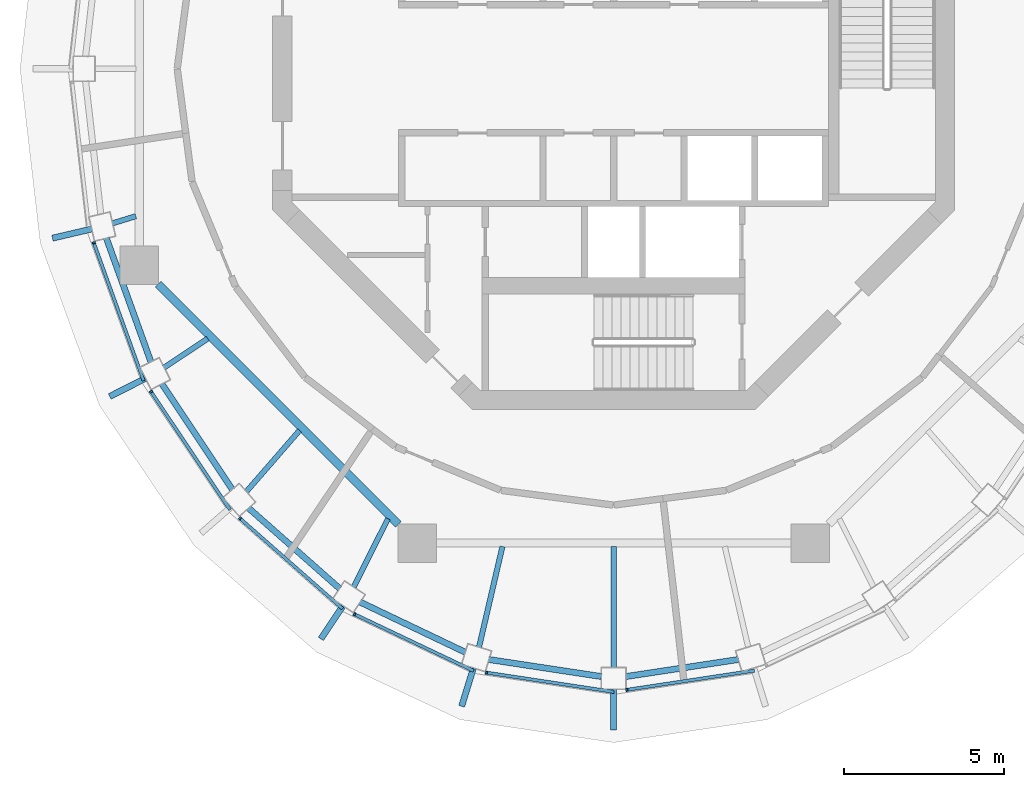
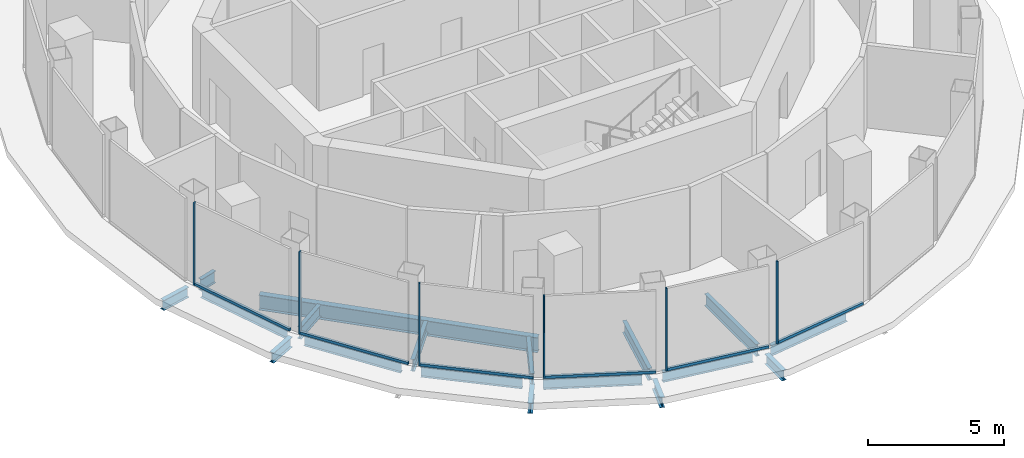
# One storey, part 2 of 11: 18 beams, 12 members, 6 elements without a shape of their own.
"""IFC4 building model written with IfcOpenShell, lengths in metres."""

from ifc_helpers import new_model, si_unit, direction, frame, origin, origin_2d, place, context, subcontext, project, spatial, rectangle, i_section, extrude, material, layer, layer_set, material_profile, profile_set, type_object, element, aggregate, save


model = new_model("IFC4")

# Units and contexts
model_context = context("Model", 3, precision=1e-05, world=origin(), true_north=direction((0.0, 1.0)))
body_context = subcontext(model_context, "Body", "Model", "MODEL_VIEW")
ifc_project = project(units=[si_unit("LENGTHUNIT", "METRE"), si_unit("AREAUNIT", "SQUARE_METRE"), si_unit("VOLUMEUNIT", "CUBIC_METRE"), si_unit("PLANEANGLEUNIT", "RADIAN"), si_unit("MASSUNIT", "GRAM", prefix="KILO")], contexts=[model_context])

# Site, building, storey
site_placement = place(None, origin())
site = spatial("IfcSite", under=ifc_project, at=site_placement, CompositionType="ELEMENT")
building_placement = place(site_placement, origin())
building = spatial("IfcBuilding", under=site, at=building_placement, Name="Nagisa Residences", CompositionType="ELEMENT")
storey_placement = place(building_placement, frame((0.0, 0.0, 324.89990234375)))
storey = spatial("IfcBuildingStorey", under=building, at=storey_placement, Name="L80", CompositionType="ELEMENT", Elevation=324.89990234375)

# Curtain wall, member
ifc_material_1 = material(Name="Aluminium curtain wall system", Category="aluminium")
ifc_layer = layer(ifc_material_1, 0.159912109375)
ifc_layer_set = layer_set([ifc_layer], Name="CW5 CURTAIN WALL")
curtain_wall_type = type_object("IfcCurtainWallType", Name="CW5 CURTAIN WALL", PredefinedType="NOTDEFINED", material=ifc_layer_set)
curtain_wall_1_placement = place(storey_placement, origin())
curtain_wall_1 = element("IfcCurtainWall", 1, at=curtain_wall_1_placement, inside=storey, type_object=curtain_wall_type, Name="cw:CW5:L80:13", PredefinedType="NOTDEFINED")
ifc_material_2 = material(Name="Aluminium", Category="aluminium")
ifc_material_profile_1 = material_profile(ifc_material_2, rectangle(XDim=0.10009765625, YDim=0.06005859375, at=origin_2d()), Name="CW5 MULLION 100x60")
ifc_profile_set_1 = profile_set([ifc_material_profile_1], Name="Aluminium")
member_type_1 = type_object("IfcMemberType", Name="CW5 MULLION 100x60", PredefinedType="MULLION", material=ifc_profile_set_1)
member_1_placement = place(storey_placement, frame((-16.199462890625, -5.42431640625, 0.0), z_axis=(0.0, 0.0, 1.0), x_axis=(0.940554456033, 0.339642923136, 0.0)))
member_1 = element("IfcMember", 2, at=member_1_placement, type_object=member_type_1, Name="CW5 mullion", PredefinedType="MULLION", context=body_context, shape_type="SweptSolid", body=[
    extrude(rectangle(XDim=0.10009765625, YDim=0.06005859375, at=origin_2d()), origin(), (0.0, 0.0, 1.0), 3.7001953125),
])

curtain_wall_2_placement = place(storey_placement, origin())
curtain_wall_2 = element("IfcCurtainWall", 3, at=curtain_wall_2_placement, inside=storey, type_object=curtain_wall_type, Name="cw:CW5:L80:14", PredefinedType="NOTDEFINED")
member_2_placement = place(storey_placement, frame((-14.416748046875, -10.06298828125, 0.0), z_axis=(0.0, 0.0, 1.0), x_axis=(0.831172662415, 0.556014393027, 0.0)))
member_2 = element("IfcMember", 4, at=member_2_placement, type_object=member_type_1, Name="CW5 mullion", PredefinedType="MULLION", context=body_context, shape_type="SweptSolid", body=[
    extrude(rectangle(XDim=0.10009765625, YDim=0.06005859375, at=origin_2d()), origin(), (0.0, 0.0, 1.0), 3.7001953125),
])

curtain_wall_3_placement = place(storey_placement, origin())
curtain_wall_3 = element("IfcCurtainWall", 5, at=curtain_wall_3_placement, inside=storey, type_object=curtain_wall_type, Name="cw:CW5:L80:15", PredefinedType="NOTDEFINED")
member_3_placement = place(storey_placement, frame((-11.645263671875, -14.0126953125, 0.0), z_axis=(0.0, 0.0, 1.0), x_axis=(0.660699467703, 0.750650526795, 0.0)))
member_3 = element("IfcMember", 6, at=member_3_placement, type_object=member_type_1, Name="CW5 mullion", PredefinedType="MULLION", context=body_context, shape_type="SweptSolid", body=[
    extrude(rectangle(XDim=0.10009765625, YDim=0.06005859375, at=origin_2d()), origin(), (0.0, 0.0, 1.0), 3.7001953125),
])

curtain_wall_4_placement = place(storey_placement, origin())
curtain_wall_4 = element("IfcCurtainWall", 7, at=curtain_wall_4_placement, inside=storey, type_object=curtain_wall_type, Name="cw:CW5:L80:16", PredefinedType="NOTDEFINED")
member_4_placement = place(storey_placement, frame((-8.077392578125, -16.999755859375, 0.0), z_axis=(0.0, 0.0, 1.0), x_axis=(0.429150642757, 0.903232929992, 0.0)))
member_4 = element("IfcMember", 8, at=member_4_placement, type_object=member_type_1, Name="CW5 mullion", PredefinedType="MULLION", context=body_context, shape_type="SweptSolid", body=[
    extrude(rectangle(XDim=0.10009765625, YDim=0.06005859375, at=origin_2d()), origin(), (0.0, 0.0, 1.0), 3.7001953125),
])

curtain_wall_5_placement = place(storey_placement, origin())
curtain_wall_5 = element("IfcCurtainWall", 9, at=curtain_wall_5_placement, inside=storey, type_object=curtain_wall_type, Name="cw:CW5:L80:17", PredefinedType="NOTDEFINED")
member_5_placement = place(storey_placement, frame((-3.962890625, -18.820556640625, 0.0), z_axis=(0.0, 0.0, 1.0), x_axis=(0.149320135997, 0.988788904158, 0.0)))
member_5 = element("IfcMember", 10, at=member_5_placement, type_object=member_type_1, Name="CW5 mullion", PredefinedType="MULLION", context=body_context, shape_type="SweptSolid", body=[
    extrude(rectangle(XDim=0.10009765625, YDim=0.06005859375, at=origin_2d()), origin(), (0.0, 0.0, 1.0), 3.7001953125),
])

curtain_wall_6_placement = place(storey_placement, origin())
curtain_wall_6 = element("IfcCurtainWall", 11, at=curtain_wall_6_placement, inside=storey, type_object=curtain_wall_type, Name="cw:CW5:L80:18", PredefinedType="NOTDEFINED")
member_6_placement = place(storey_placement, frame((0.413330078125, -19.356689453125, 0.0), z_axis=(0.0, 0.0, 1.0), x_axis=(-0.149320135997, 0.988788904158, 0.0)))
member_6 = element("IfcMember", 12, at=member_6_placement, type_object=member_type_1, Name="CW5 mullion", PredefinedType="MULLION", context=body_context, shape_type="SweptSolid", body=[
    extrude(rectangle(XDim=0.10009765625, YDim=0.06005859375, at=origin_2d()), origin(), (0.0, 0.0, 1.0), 3.7001953125),
])

# Member
ifc_material_3 = material(Name="Aluminium", Category="aluminium")
ifc_material_profile_2 = material_profile(ifc_material_3, rectangle(XDim=0.10009765625, YDim=0.1201171875, at=origin_2d()), Name="CW5 TRANSOM 100x120")
ifc_profile_set_2 = profile_set([ifc_material_profile_2], Name="Aluminium")
member_type_2 = type_object("IfcMemberType", Name="CW5 TRANSOM 100x120", PredefinedType="USERDEFINED", material=ifc_profile_set_2)
member_7_placement = place(storey_placement, frame((-16.209716796875, -5.39599609375, 0.06005859375), z_axis=(0.339645767878, -0.940553428766, 0.0), x_axis=(0.940553428766, 0.339645767878, 0.0)))
member_7 = element("IfcMember", 13, at=member_7_placement, type_object=member_type_2, Name="CW5 transom", ObjectType="TRANSOM", PredefinedType="USERDEFINED", context=body_context, shape_type="SweptSolid", body=[
    extrude(rectangle(XDim=0.10009765625, YDim=0.1201171875, at=origin_2d()), origin(), (0.0, 0.0, 1.0), 4.600341796875),
])

aggregate(curtain_wall_1, [member_1, member_7])

member_8_placement = place(storey_placement, frame((-14.43359375, -10.0380859375, 0.06005859375), z_axis=(0.556026221044, -0.831164749921, 0.0), x_axis=(0.831164749921, 0.556026221044, 0.0)))
member_8 = element("IfcMember", 14, at=member_8_placement, type_object=member_type_2, Name="CW5 transom", ObjectType="TRANSOM", PredefinedType="USERDEFINED", context=body_context, shape_type="SweptSolid", body=[
    extrude(rectangle(XDim=0.10009765625, YDim=0.1201171875, at=origin_2d()), origin(), (0.0, 0.0, 1.0), 4.458984375),
])

aggregate(curtain_wall_2, [member_2, member_8])

member_9_placement = place(storey_placement, frame((-11.667724609375, -13.992919921875, 0.06005859375), z_axis=(0.750659327094, -0.660689469151, 0.0), x_axis=(0.660689469151, 0.750659327094, 0.0)))
member_9 = element("IfcMember", 15, at=member_9_placement, type_object=member_type_2, Name="CW5 transom", ObjectType="TRANSOM", PredefinedType="USERDEFINED", context=body_context, shape_type="SweptSolid", body=[
    extrude(rectangle(XDim=0.10009765625, YDim=0.1201171875, at=origin_2d()), origin(), (0.0, 0.0, 1.0), 4.290283203125),
])

aggregate(curtain_wall_3, [member_3, member_9])

member_10_placement = place(storey_placement, frame((-8.1044921875, -16.98681640625, 0.06005859375), z_axis=(0.903246073132, -0.429122979309, 0.0), x_axis=(0.429122979309, 0.903246073132, 0.0)))
member_10 = element("IfcMember", 16, at=member_10_placement, type_object=member_type_2, Name="CW5 transom", ObjectType="TRANSOM", PredefinedType="USERDEFINED", context=body_context, shape_type="SweptSolid", body=[
    extrude(rectangle(XDim=0.10009765625, YDim=0.1201171875, at=origin_2d()), origin(), (0.0, 0.0, 1.0), 4.1396484375),
])

aggregate(curtain_wall_4, [member_4, member_10])

member_11_placement = place(storey_placement, frame((-3.992431640625, -18.816162109375, 0.06005859375), z_axis=(0.988788172803, -0.149324978907, 0.0), x_axis=(0.149324978907, 0.988788172803, 0.0)))
member_11 = element("IfcMember", 17, at=member_11_placement, type_object=member_type_2, Name="CW5 transom", ObjectType="TRANSOM", PredefinedType="USERDEFINED", context=body_context, shape_type="SweptSolid", body=[
    extrude(rectangle(XDim=0.10009765625, YDim=0.1201171875, at=origin_2d()), origin(), (0.0, 0.0, 1.0), 4.0498046875),
])

aggregate(curtain_wall_5, [member_5, member_11])

member_12_placement = place(storey_placement, frame((0.383544921875, -19.361083984375, 0.06005859375), z_axis=(0.988788172803, 0.149324978907, 0.0), x_axis=(-0.149324978907, 0.988788172803, 0.0)))
member_12 = element("IfcMember", 18, at=member_12_placement, type_object=member_type_2, Name="CW5 transom", ObjectType="TRANSOM", PredefinedType="USERDEFINED", context=body_context, shape_type="SweptSolid", body=[
    extrude(rectangle(XDim=0.10009765625, YDim=0.1201171875, at=origin_2d()), origin(), (0.0, 0.0, 1.0), 4.0498046875),
])

aggregate(curtain_wall_6, [member_6, member_12])

# Beams
ifc_material_4 = material(Name="Steel ASTM A572 Gr 50", Category="steel")
ifc_material_profile_3 = material_profile(ifc_material_4, i_section(OverallWidth=0.2529296875, OverallDepth=0.677978515625, WebThickness=0.01171875, FlangeThickness=0.016357421875, at=origin_2d()), Name="W690x125")
ifc_profile_set_3 = profile_set([ifc_material_profile_3], Name="Steel ASTM A572 Gr 50")
beam_type_1 = type_object("IfcBeamType", Name="Inner ring beam W690x125", PredefinedType="BEAM", material=ifc_profile_set_3)
beam_1_placement = place(storey_placement, frame((-14.1962890625, -6.708740234375, -0.638916015625), z_axis=(0.707106781187, -0.707106781187, 0.0), x_axis=(0.707106781187, 0.707106781187, 0.0)))
element("IfcBeam", 19, at=beam_1_placement, inside=storey, type_object=beam_type_1, Name="beam:L80:ib5", PredefinedType="BEAM", context=body_context, shape_type="SweptSolid", body=[
    extrude(i_section(OverallWidth=0.2529296875, OverallDepth=0.677978515625, WebThickness=0.01171875, FlangeThickness=0.016357421875, at=origin_2d()), origin(), (0.0, 0.0, 1.0), 10.589111328125),
])
ifc_material_5 = material(Name="Steel ASTM A572 Gr 50", Category="steel")
ifc_material_profile_4 = material_profile(ifc_material_5, i_section(OverallWidth=0.18994140625, OverallDepth=0.45703125, WebThickness=0.009033203125, FlangeThickness=0.014404296875, at=origin_2d()), Name="W460x74")
ifc_profile_set_4 = profile_set([ifc_material_profile_4], Name="Steel ASTM A572 Gr 50")
beam_type_2 = type_object("IfcBeamType", Name="Lantern ring bracket W460x74", PredefinedType="BEAM", material=ifc_profile_set_4)
beam_2_placement = place(storey_placement, frame((-16.259033203125, -4.99267578125, -0.5283203125), z_axis=(-0.973804082891, -0.227388671979, 0.0), x_axis=(0.227388671979, -0.973804082891, 0.0)))
element("IfcBeam", 20, at=beam_2_placement, inside=storey, type_object=beam_type_2, Name="beam:L80:cb14", PredefinedType="BEAM", context=body_context, shape_type="SweptSolid", body=[
    extrude(i_section(OverallWidth=0.18994140625, OverallDepth=0.45703125, WebThickness=0.009033203125, FlangeThickness=0.014404296875, at=origin_2d()), origin(), (0.0, 0.0, 1.0), 1.261474609375),
])
beam_3_placement = place(storey_placement, frame((-14.584228515625, -9.6484375, -0.5283203125), z_axis=(-0.893216090301, -0.44962764153, 0.0), x_axis=(0.44962764153, -0.893216090301, 0.0)))
element("IfcBeam", 21, at=beam_3_placement, inside=storey, type_object=beam_type_2, Name="beam:L80:cb15", PredefinedType="BEAM", context=body_context, shape_type="SweptSolid", body=[
    extrude(i_section(OverallWidth=0.18994140625, OverallDepth=0.45703125, WebThickness=0.009033203125, FlangeThickness=0.014404296875, at=origin_2d()), origin(), (0.0, 0.0, 1.0), 1.253173828125),
])
beam_4_placement = place(storey_placement, frame((-8.43212890625, -16.729736328125, -0.5283203125), z_axis=(-0.552218453002, -0.833699454338, 0.0), x_axis=(0.833699454338, -0.552218453002, 0.0)))
element("IfcBeam", 22, at=beam_4_placement, inside=storey, type_object=beam_type_2, Name="beam:L80:cb17", PredefinedType="BEAM", context=body_context, shape_type="SweptSolid", body=[
    extrude(i_section(OverallWidth=0.18994140625, OverallDepth=0.45703125, WebThickness=0.009033203125, FlangeThickness=0.014404296875, at=origin_2d()), origin(), (0.0, 0.0, 1.0), 1.249755859375),
])
beam_5_placement = place(storey_placement, frame((-4.367431640625, -18.66796875, -0.5283203125), z_axis=(-0.293731366826, -0.955888008159, 0.0), x_axis=(0.955888008159, -0.293731366826, 0.0)))
element("IfcBeam", 23, at=beam_5_placement, inside=storey, type_object=beam_type_2, Name="beam:L80:cb18", PredefinedType="BEAM", context=body_context, shape_type="SweptSolid", body=[
    extrude(i_section(OverallWidth=0.18994140625, OverallDepth=0.45703125, WebThickness=0.009033203125, FlangeThickness=0.014404296875, at=origin_2d()), origin(), (0.0, 0.0, 1.0), 1.25830078125),
])
beam_6_placement = place(storey_placement, frame((0.0, -19.330078125, -0.5283203125), z_axis=(0.0, -1.0, 0.0), x_axis=(1.0, 0.0, 0.0)))
element("IfcBeam", 24, at=beam_6_placement, inside=storey, type_object=beam_type_2, Name="beam:L80:cb19", PredefinedType="BEAM", context=body_context, shape_type="SweptSolid", body=[
    extrude(i_section(OverallWidth=0.18994140625, OverallDepth=0.45703125, WebThickness=0.009033203125, FlangeThickness=0.014404296875, at=origin_2d()), origin(), (0.0, 0.0, 1.0), 1.27001953125),
])
ifc_material_6 = material(Name="Steel ASTM A572 Gr 50", Category="steel")
ifc_material_profile_5 = material_profile(ifc_material_6, i_section(OverallWidth=0.18994140625, OverallDepth=0.45703125, WebThickness=0.009033203125, FlangeThickness=0.014404296875, at=origin_2d()), Name="W460x74")
ifc_profile_set_5 = profile_set([ifc_material_profile_5], Name="Steel ASTM A572 Gr 50")
beam_type_3 = type_object("IfcBeamType", Name="Perimeter ring beam W460x74", PredefinedType="BEAM", material=ifc_profile_set_5)
beam_7_placement = place(storey_placement, frame((-15.808349609375, -5.277587890625, -0.5283203125), z_axis=(0.338517252251, -0.940960185092, 0.0), x_axis=(0.940960185092, 0.338517252251, 0.0)))
element("IfcBeam", 25, at=beam_7_placement, inside=storey, type_object=beam_type_3, Name="beam:L80:pb14", PredefinedType="BEAM", context=body_context, shape_type="SweptSolid", body=[
    extrude(i_section(OverallWidth=0.18994140625, OverallDepth=0.45703125, WebThickness=0.009033203125, FlangeThickness=0.014404296875, at=origin_2d()), origin(), (0.0, 0.0, 1.0), 4.1044921875),
])
beam_8_placement = place(storey_placement, frame((-14.0771484375, -9.818603515625, -0.5283203125), z_axis=(0.554529560082, -0.832164026497, 0.0), x_axis=(0.832164026497, 0.554529560082, 0.0)))
element("IfcBeam", 26, at=beam_8_placement, inside=storey, type_object=beam_type_3, Name="beam:L80:pb15", PredefinedType="BEAM", context=body_context, shape_type="SweptSolid", body=[
    extrude(i_section(OverallWidth=0.18994140625, OverallDepth=0.45703125, WebThickness=0.009033203125, FlangeThickness=0.014404296875, at=origin_2d()), origin(), (0.0, 0.0, 1.0), 3.96240234375),
])
beam_9_placement = place(storey_placement, frame((-11.3798828125, -13.68896484375, -0.5283203125), z_axis=(0.749401876552, -0.662115418503, 0.0), x_axis=(0.662115418503, 0.749401876552, 0.0)))
element("IfcBeam", 27, at=beam_9_placement, inside=storey, type_object=beam_type_3, Name="beam:L80:pb16", PredefinedType="BEAM", context=body_context, shape_type="SweptSolid", body=[
    extrude(i_section(OverallWidth=0.18994140625, OverallDepth=0.45703125, WebThickness=0.009033203125, FlangeThickness=0.014404296875, at=origin_2d()), origin(), (0.0, 0.0, 1.0), 3.792724609375),
])
beam_10_placement = place(storey_placement, frame((-7.903564453125, -16.619873046875, -0.5283203125), z_axis=(0.902613702305, -0.430451512266, 0.0), x_axis=(0.430451512266, 0.902613702305, 0.0)))
element("IfcBeam", 28, at=beam_10_placement, inside=storey, type_object=beam_type_3, Name="beam:L80:pb17", PredefinedType="BEAM", context=body_context, shape_type="SweptSolid", body=[
    extrude(i_section(OverallWidth=0.18994140625, OverallDepth=0.45703125, WebThickness=0.009033203125, FlangeThickness=0.014404296875, at=origin_2d()), origin(), (0.0, 0.0, 1.0), 3.640625),
])
for number, where, z_axis, x_axis, name in (
    (29, (-3.890380859375, -18.41015625, -0.5283203125), (0.988700067025, -0.149907229525, 0.0), (0.149907229525, 0.988700067025, 0.0), "beam:L80:pb18"),
    (30, (0.380126953125, -18.9423828125, -0.5283203125), (0.988700067025, 0.149907229525, 0.0), (-0.149907229525, 0.988700067025, 0.0), "beam:L80:pb19"),
):
    element("IfcBeam", number, at=place(storey_placement, frame(where, z_axis=z_axis, x_axis=x_axis)), inside=storey, type_object=beam_type_3, Name=name, PredefinedType="BEAM", context=body_context, shape_type="SweptSolid", body=[
        extrude(i_section(OverallWidth=0.18994140625, OverallDepth=0.45703125, WebThickness=0.009033203125, FlangeThickness=0.014404296875, at=origin_2d()), origin(), (0.0, 0.0, 1.0), 3.55029296875),
    ])
ifc_material_7 = material(Name="Steel ASTM A572 Gr 50", Category="steel")
ifc_material_profile_6 = material_profile(ifc_material_7, i_section(OverallWidth=0.166015625, OverallDepth=0.534912109375, WebThickness=0.01025390625, FlangeThickness=0.0166015625, at=origin_2d()), Name="W530x85")
ifc_profile_set_6 = profile_set([ifc_material_profile_6], Name="Steel ASTM A572 Gr 50")
beam_type_4 = type_object("IfcBeamType", Name="Radial beam W530x85", PredefinedType="BEAM", material=ifc_profile_set_6)
beam_11_placement = place(storey_placement, frame((-15.62158203125, -4.820068359375, -0.5673828125), z_axis=(0.955489220567, 0.295026014753, 0.0), x_axis=(-0.295026014753, 0.955489220567, 0.0)))
element("IfcBeam", 31, at=beam_11_placement, inside=storey, type_object=beam_type_4, Name="beam:L80:rb14", PredefinedType="BEAM", context=body_context, shape_type="SweptSolid", body=[
    extrude(i_section(OverallWidth=0.166015625, OverallDepth=0.534912109375, WebThickness=0.01025390625, FlangeThickness=0.0166015625, at=origin_2d()), origin(), (0.0, 0.0, 1.0), 0.766357421875),
])
beam_12_placement = place(storey_placement, frame((-14.012451171875, -9.31591796875, -0.5673828125), z_axis=(0.832714310154, 0.553702878505, 0.0), x_axis=(-0.553702878505, 0.832714310154, 0.0)))
element("IfcBeam", 32, at=beam_12_placement, inside=storey, type_object=beam_type_4, Name="beam:L80:rb15", PredefinedType="BEAM", context=body_context, shape_type="SweptSolid", body=[
    extrude(i_section(OverallWidth=0.166015625, OverallDepth=0.534912109375, WebThickness=0.01025390625, FlangeThickness=0.0166015625, at=origin_2d()), origin(), (0.0, 0.0, 1.0), 1.638916015625),
])
beam_13_placement = place(storey_placement, frame((-11.44873046875, -13.183349609375, -0.5673828125), z_axis=(0.655718438616, 0.755005516045, 0.0), x_axis=(-0.755005516045, 0.655718438616, 0.0)))
element("IfcBeam", 33, at=beam_13_placement, inside=storey, type_object=beam_type_4, Name="beam:L80:rb16", PredefinedType="BEAM", context=body_context, shape_type="SweptSolid", body=[
    extrude(i_section(OverallWidth=0.166015625, OverallDepth=0.534912109375, WebThickness=0.01025390625, FlangeThickness=0.0166015625, at=origin_2d()), origin(), (0.0, 0.0, 1.0), 2.53515625),
])
beam_14_placement = place(storey_placement, frame((-8.10107421875, -16.1572265625, -0.5673828125), z_axis=(0.448236908276, 0.893914802461, 0.0), x_axis=(-0.893914802461, 0.448236908276, 0.0)))
element("IfcBeam", 34, at=beam_14_placement, inside=storey, type_object=beam_type_4, Name="beam:L80:rb17", PredefinedType="BEAM", context=body_context, shape_type="SweptSolid", body=[
    extrude(i_section(OverallWidth=0.166015625, OverallDepth=0.534912109375, WebThickness=0.01025390625, FlangeThickness=0.0166015625, at=origin_2d()), origin(), (0.0, 0.0, 1.0), 2.385009765625),
])
beam_15_placement = place(storey_placement, frame((-4.195556640625, -18.0302734375, -0.5673828125), z_axis=(0.226650446588, 0.973976167604, 0.0), x_axis=(-0.973976167604, 0.226650446588, 0.0)))
element("IfcBeam", 35, at=beam_15_placement, inside=storey, type_object=beam_type_4, Name="beam:L80:rb18", PredefinedType="BEAM", context=body_context, shape_type="SweptSolid", body=[
    extrude(i_section(OverallWidth=0.166015625, OverallDepth=0.534912109375, WebThickness=0.01025390625, FlangeThickness=0.0166015625, at=origin_2d()), origin(), (0.0, 0.0, 1.0), 3.22509765625),
])
beam_16_placement = place(storey_placement, frame((0.0, -18.669921875, -0.5673828125), z_axis=(0.0, 1.0, 0.0), x_axis=(-1.0, 0.0, 0.0)))
element("IfcBeam", 36, at=beam_16_placement, inside=storey, type_object=beam_type_4, Name="beam:L80:rb19", PredefinedType="BEAM", context=body_context, shape_type="SweptSolid", body=[
    extrude(i_section(OverallWidth=0.166015625, OverallDepth=0.534912109375, WebThickness=0.01025390625, FlangeThickness=0.0166015625, at=origin_2d()), origin(), (0.0, 0.0, 1.0), 3.78125),
])

save(model, "model.ifc")
